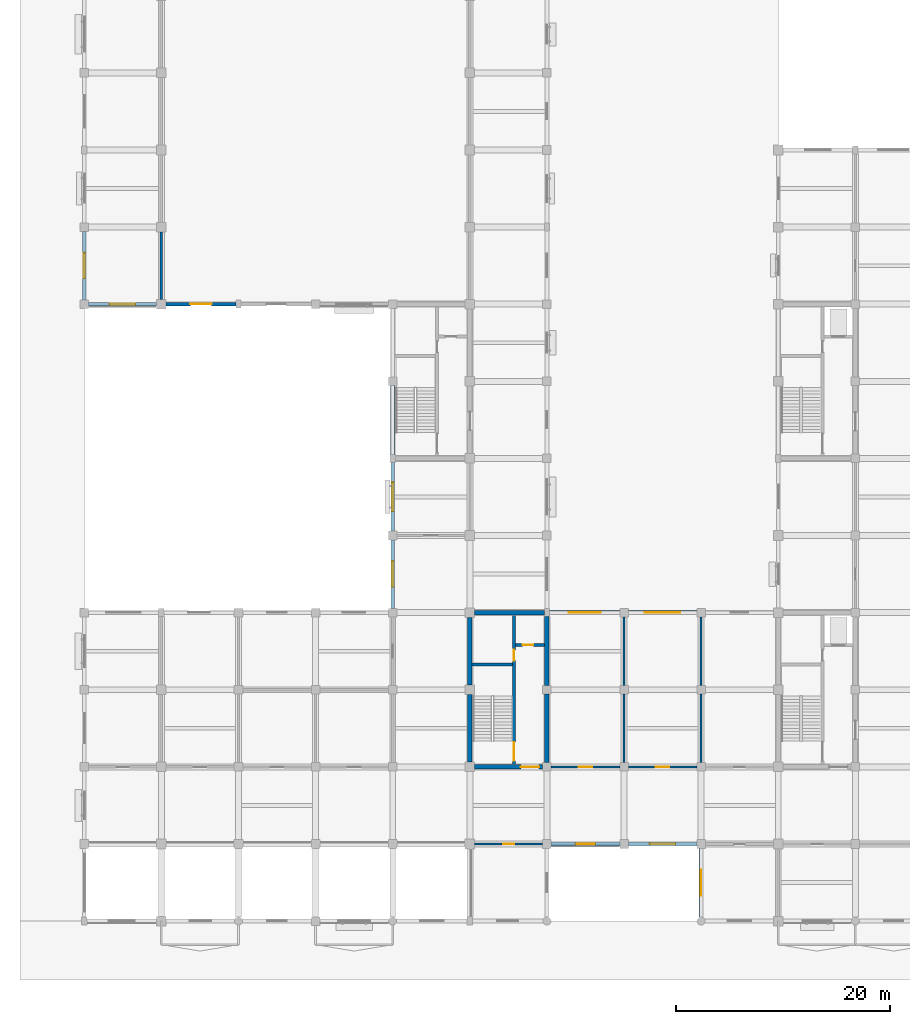
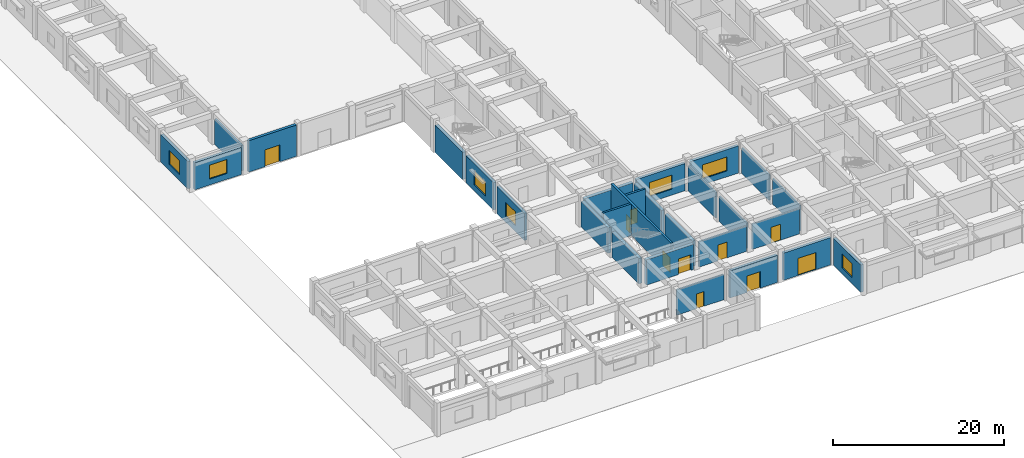
# One storey, part 9 of 37: 28 walls, 10 doors, 7 windows, 17 openings.
"""IFC4 building model written with IfcOpenShell, lengths in metres."""

from ifc_helpers import new_model, si_unit, direction, frame, frame_2d, origin, place, context, subcontext, project, spatial, rectangle, extrude, material, layer, layer_set, type_object, element, fill, save


model = new_model("IFC4")

# Units and contexts
model_context = context("Model", 3, precision=1e-05, world=origin(), true_north=direction((0.0, 1.0)))
body_context = subcontext(model_context, "Body", "Model", "MODEL_VIEW")
ifc_project = project(units=[si_unit("LENGTHUNIT", "METRE"), si_unit("AREAUNIT", "SQUARE_METRE"), si_unit("VOLUMEUNIT", "CUBIC_METRE"), si_unit("PLANEANGLEUNIT", "RADIAN"), si_unit("MASSUNIT", "GRAM", prefix="KILO")], contexts=[model_context])

# Site, building, storey
site_placement = place(None, origin())
site = spatial("IfcSite", under=ifc_project, at=site_placement, CompositionType="ELEMENT")
building_placement = place(site_placement, origin())
building = spatial("IfcBuilding", under=site, at=building_placement, Name="Cendaluz Park School", CompositionType="ELEMENT")
storey_placement = place(building_placement, origin())
storey = spatial("IfcBuildingStorey", under=building, at=storey_placement, Name="L00", CompositionType="ELEMENT", Elevation=0.0)

# Wall, opening, door
ifc_material_1 = material(Name="Gypsum Plasterboard on Cold-Formed Stud", Category="gypsum")
ifc_layer_1 = layer(ifc_material_1, 0.199951171875)
ifc_layer_set_1 = layer_set([ifc_layer_1], Name="Gypsum Plasterboard on Cold-Formed Stud")
wall_type_1 = type_object("IfcWallType", Name="W-AC20", PredefinedType="PARTITIONING", material=ifc_layer_set_1)
wall_1_placement = place(storey_placement, frame((43.60009765625, 14.39990234375, 0.0), z_axis=(0.0, 0.0, 1.0), x_axis=(1.0, 0.0, 0.0)))
wall_1 = element("IfcWall", 1, at=wall_1_placement, inside=storey, type_object=wall_type_1, Name="WL-FA-CG4", PredefinedType="PARTITIONING", context=body_context, shape_type="SweptSolid", body=[
    extrude(rectangle(XDim=6.39990234375, YDim=0.199951171875, at=frame_2d((3.199951171875, 0.0))), origin(), (0.0, 0.0, 1.0), 3.6201171875),
])
opening_1_placement = place(wall_1_placement, frame((2.580078125, 0.0, 0.0)))
opening_1 = element("IfcOpeningElement", 2, at=opening_1_placement, cuts=wall_1, Name="Opening DCL-09", PredefinedType="OPENING", context=body_context, shape_type="SweptSolid", body=[
    extrude(rectangle(XDim=1.239990234375, YDim=2.260009765625, at=frame_2d((0.6201171875, 1.1298828125))), frame((0.0, 0.112060546875, 0.0), z_axis=(0.0, -1.0, 0.0), x_axis=(1.0, 0.0, 0.0)), (0.0, 0.0, 1.0), 0.223876953125),
])
ifc_material_2 = material(Name="Solid Core Hardwood", Category="wood")
door_type_1 = type_object("IfcDoorType", Name="DCL-09", OperationType="NOTDEFINED", PredefinedType="DOOR", material=ifc_material_2)
door_1_placement = place(opening_1_placement, origin())
door_1 = element("IfcDoor", 3, at=door_1_placement, inside=storey, type_object=door_type_1, Name="D-L00-081", OperationType="SINGLE_SWING_LEFT", OverallHeight=2.260009765625, OverallWidth=1.239990234375, PredefinedType="DOOR", context=body_context, shape_type="SweptSolid", body=[
    extrude(rectangle(XDim=1.239990234375, YDim=2.260009765625, at=frame_2d((0.6201171875, 1.1298828125))), frame((0.0, 0.02490234375, 0.0), z_axis=(0.0, -1.0, 0.0), x_axis=(1.0, 0.0, 0.0)), (0.0, 0.0, 1.0), 0.050048828125),
])
fill(opening_1, door_1)

# Walls
for number, where, z_axis, x_axis, name in (
    (4, (50.39990234375, 14.800048828125, 0.0), (0.0, 0.0, 1.0), (0.0, 1.0, 0.0), "WL-FA-CG5"),
    (5, (50.39990234375, 22.0, 0.0), (0.0, 0.0, 1.0), (0.0, 1.0, 0.0), "WL-FA-CG6"),
):
    element("IfcWall", number, at=place(storey_placement, frame(where, z_axis=z_axis, x_axis=x_axis)), inside=storey, type_object=wall_type_1, Name=name, PredefinedType="PARTITIONING", context=body_context, shape_type="SweptSolid", body=[
        extrude(rectangle(XDim=6.39990234375, YDim=0.199951171875, at=frame_2d((3.199951171875, 0.0))), origin(), (0.0, 0.0, 1.0), 3.6201171875),
    ])

# Wall, opening, door
wall_2_placement = place(storey_placement, frame((50.800048828125, 14.39990234375, 0.0), z_axis=(0.0, 0.0, 1.0), x_axis=(1.0, 0.0, 0.0)))
wall_2 = element("IfcWall", 6, at=wall_2_placement, inside=storey, type_object=wall_type_1, Name="WL-FA-CG7", PredefinedType="PARTITIONING", context=body_context, shape_type="SweptSolid", body=[
    extrude(rectangle(XDim=6.39990234375, YDim=0.199951171875, at=frame_2d((3.199951171875, 0.0))), origin(), (0.0, 0.0, 1.0), 3.6201171875),
])
opening_2_placement = place(wall_2_placement, frame((2.56005859375, 0.0, 0.0)))
opening_2 = element("IfcOpeningElement", 7, at=opening_2_placement, cuts=wall_2, Name="Opening DCL-10", PredefinedType="OPENING", context=body_context, shape_type="SweptSolid", body=[
    extrude(rectangle(XDim=1.280029296875, YDim=2.280029296875, at=frame_2d((0.64013671875, 1.14013671875))), frame((0.0, 0.112060546875, 0.0), z_axis=(0.0, -1.0, 0.0), x_axis=(1.0, 0.0, 0.0)), (0.0, 0.0, 1.0), 0.223876953125),
])
door_type_2 = type_object("IfcDoorType", Name="DCL-10", OperationType="NOTDEFINED", PredefinedType="DOOR", material=ifc_material_2)
door_2_placement = place(opening_2_placement, origin())
door_2 = element("IfcDoor", 8, at=door_2_placement, inside=storey, type_object=door_type_2, Name="D-L00-082", OperationType="SINGLE_SWING_RIGHT", OverallHeight=2.280029296875, OverallWidth=1.280029296875, PredefinedType="DOOR", context=body_context, shape_type="SweptSolid", body=[
    extrude(rectangle(XDim=1.280029296875, YDim=2.280029296875, at=frame_2d((0.64013671875, 1.14013671875))), frame((0.0, 0.02490234375, 0.0), z_axis=(0.0, -1.0, 0.0), x_axis=(1.0, 0.0, 0.0)), (0.0, 0.0, 1.0), 0.050048828125),
])
fill(opening_2, door_2)

# Walls
for number, where, z_axis, x_axis, name in (
    (9, (57.60009765625, 14.800048828125, 0.0), (0.0, 0.0, 1.0), (0.0, 1.0, 0.0), "WL-FA-CG8"),
    (10, (57.60009765625, 22.0, 0.0), (0.0, 0.0, 1.0), (0.0, 1.0, 0.0), "WL-FA-CG9"),
):
    element("IfcWall", number, at=place(storey_placement, frame(where, z_axis=z_axis, x_axis=x_axis)), inside=storey, type_object=wall_type_1, Name=name, PredefinedType="PARTITIONING", context=body_context, shape_type="SweptSolid", body=[
        extrude(rectangle(XDim=6.39990234375, YDim=0.199951171875, at=frame_2d((3.199951171875, 0.0))), origin(), (0.0, 0.0, 1.0), 3.6201171875),
    ])

# Wall, opening, door
wall_3_placement = place(storey_placement, frame((36.449951171875, 7.199951171875, 0.0), z_axis=(0.0, 0.0, 1.0), x_axis=(1.0, 0.0, 0.0)))
wall_3 = element("IfcWall", 11, at=wall_3_placement, inside=storey, type_object=wall_type_1, Name="WL-FA-CJ3", PredefinedType="PARTITIONING", context=body_context, shape_type="SweptSolid", body=[
    extrude(rectangle(XDim=6.35009765625, YDim=0.199951171875, at=frame_2d((3.175048828125, 0.0))), origin(), (0.0, 0.0, 1.0), 3.6201171875),
])
opening_3_placement = place(wall_3_placement, frame((2.675048828125, 0.0, 0.0)))
opening_3 = element("IfcOpeningElement", 12, at=opening_3_placement, cuts=wall_3, Name="Opening DCL-01", PredefinedType="OPENING", context=body_context, shape_type="SweptSolid", body=[
    extrude(rectangle(XDim=1.0, YDim=2.10009765625, at=frame_2d((0.5, 1.050048828125))), frame((0.0, 0.112060546875, 0.0), z_axis=(0.0, -1.0, 0.0), x_axis=(1.0, 0.0, 0.0)), (0.0, 0.0, 1.0), 0.223876953125),
])
door_type_3 = type_object("IfcDoorType", Name="DCL-01", OperationType="NOTDEFINED", PredefinedType="DOOR", material=ifc_material_2)
door_3_placement = place(opening_3_placement, frame((1.0, 0.0, 0.0), z_axis=(0.0, 0.0, 1.0), x_axis=(-1.0, 0.0, 0.0)))
door_3 = element("IfcDoor", 13, at=door_3_placement, inside=storey, type_object=door_type_3, Name="D-L00-093", OperationType="SINGLE_SWING_LEFT", OverallHeight=2.10009765625, OverallWidth=1.0, PredefinedType="DOOR", context=body_context, shape_type="SweptSolid", body=[
    extrude(rectangle(XDim=1.0, YDim=2.10009765625, at=frame_2d((0.5, 1.050048828125))), frame((0.0, 0.02490234375, 0.0), z_axis=(0.0, -1.0, 0.0), x_axis=(1.0, 0.0, 0.0)), (0.0, 0.0, 1.0), 0.050048828125),
])
fill(opening_3, door_3)

# Wall
ifc_layer_2 = layer(ifc_material_1, 0.25)
ifc_layer_set_2 = layer_set([ifc_layer_2], Name="Gypsum Plasterboard on Cold-Formed Stud")
wall_type_2 = type_object("IfcWallType", Name="W-CP25", PredefinedType="PARTITIONING", material=ifc_layer_set_2)
wall_4_placement = place(storey_placement, frame((7.199951171875, 58.050048828125, 0.0), z_axis=(0.0, 0.0, 1.0), x_axis=(0.0, 1.0, 0.0)))
element("IfcWall", 14, at=wall_4_placement, inside=storey, type_object=wall_type_2, Name="WL-FA-BY0", PredefinedType="PARTITIONING", context=body_context, shape_type="SweptSolid", body=[
    extrude(rectangle(XDim=6.300048828125, YDim=0.25, at=frame_2d((3.14990234375, 0.0))), origin(), (0.0, 0.0, 1.0), 3.6201171875),
])

# Wall, opening, window
ifc_material_3 = material(Name="Concrete C40/50 precast", Category="concrete")
ifc_layer_3 = layer(ifc_material_3, 0.360107421875)
ifc_layer_set_3 = layer_set([ifc_layer_3], Name="Concrete C40/50 precast")
wall_type_3 = type_object("IfcWallType", Name="W-EX36", PredefinedType="SOLIDWALL", material=ifc_layer_set_3)
wall_5_placement = place(storey_placement, frame((0.39990234375, 57.60009765625, 0.0), z_axis=(0.0, 0.0, 1.0), x_axis=(1.0, 0.0, 0.0)))
wall_5 = element("IfcWall", 15, at=wall_5_placement, inside=storey, type_object=wall_type_3, Name="WL-FA-AA6", PredefinedType="SOLIDWALL", context=body_context, shape_type="SweptSolid", body=[
    extrude(rectangle(XDim=6.35009765625, YDim=0.360107421875, at=frame_2d((3.175048828125, 0.0))), origin(), (0.0, 0.0, 1.0), 3.889892578125),
])
opening_4_placement = place(wall_5_placement, frame((1.97509765625, 0.0, 0.85009765625)))
opening_4 = element("IfcOpeningElement", 16, at=opening_4_placement, cuts=wall_5, Name="Opening WN-12", PredefinedType="OPENING", context=body_context, shape_type="SweptSolid", body=[
    extrude(rectangle(XDim=2.39990234375, YDim=2.0, at=frame_2d((1.199951171875, 1.0))), frame((0.0, 0.192138671875, 0.0), z_axis=(0.0, -1.0, 0.0), x_axis=(1.0, 0.0, 0.0)), (0.0, 0.0, 1.0), 0.384033203125),
])
ifc_material_4 = material(Name="Tempered Low-E Double Glazing", Category="glass")
window_type_1 = type_object("IfcWindowType", Name="WN-12", PartitioningType="SINGLE_PANEL", PredefinedType="WINDOW", material=ifc_material_4)
window_1_placement = place(opening_4_placement, origin())
window_1 = element("IfcWindow", 17, at=window_1_placement, inside=storey, type_object=window_type_1, Name="WN-L00-006", OverallHeight=2.0, OverallWidth=2.39990234375, PartitioningType="SINGLE_PANEL", PredefinedType="WINDOW", context=body_context, shape_type="SweptSolid", body=[
    extrude(rectangle(XDim=2.39990234375, YDim=2.0, at=frame_2d((1.199951171875, 1.0))), frame((0.0, 0.030029296875, 0.0), z_axis=(0.0, -1.0, 0.0), x_axis=(1.0, 0.0, 0.0)), (0.0, 0.0, 1.0), 0.06005859375),
])
fill(opening_4, window_1)

wall_6_placement = place(storey_placement, frame((0.0, 58.0, 0.0), z_axis=(0.0, 0.0, 1.0), x_axis=(0.0, 1.0, 0.0)))
wall_6 = element("IfcWall", 18, at=wall_6_placement, inside=storey, type_object=wall_type_3, Name="WL-FA-AA7", PredefinedType="SOLIDWALL", context=body_context, shape_type="SweptSolid", body=[
    extrude(rectangle(XDim=6.39990234375, YDim=0.360107421875, at=frame_2d((3.199951171875, 0.0))), origin(), (0.0, 0.0, 1.0), 3.889892578125),
])
opening_5_placement = place(wall_6_placement, frame((2.0, 0.0, 0.85009765625)))
opening_5 = element("IfcOpeningElement", 19, at=opening_5_placement, cuts=wall_6, Name="Opening WN-12", PredefinedType="OPENING", context=body_context, shape_type="SweptSolid", body=[
    extrude(rectangle(XDim=2.39990234375, YDim=2.0, at=frame_2d((1.199951171875, 1.0))), frame((0.0, 0.192138671875, 0.0), z_axis=(0.0, -1.0, 0.0), x_axis=(1.0, 0.0, 0.0)), (0.0, 0.0, 1.0), 0.384033203125),
])
window_2_placement = place(opening_5_placement, origin())
window_2 = element("IfcWindow", 20, at=window_2_placement, inside=storey, type_object=window_type_1, Name="WN-L00-007", OverallHeight=2.0, OverallWidth=2.39990234375, PartitioningType="SINGLE_PANEL", PredefinedType="WINDOW", context=body_context, shape_type="SweptSolid", body=[
    extrude(rectangle(XDim=2.39990234375, YDim=2.0, at=frame_2d((1.199951171875, 1.0))), frame((0.0, 0.030029296875, 0.0), z_axis=(0.0, -1.0, 0.0), x_axis=(1.0, 0.0, 0.0)), (0.0, 0.0, 1.0), 0.06005859375),
])
fill(opening_5, window_2)

# Wall, opening, door
wall_7_placement = place(storey_placement, frame((7.64990234375, 57.60009765625, 0.0), z_axis=(0.0, 0.0, 1.0), x_axis=(1.0, 0.0, 0.0)))
wall_7 = element("IfcWall", 21, at=wall_7_placement, inside=storey, type_object=wall_type_3, Name="WL-FA-AB8", PredefinedType="SOLIDWALL", context=body_context, shape_type="SweptSolid", body=[
    extrude(rectangle(XDim=6.5, YDim=0.360107421875, at=frame_2d((3.25, 0.0))), origin(), (0.0, 0.0, 1.0), 4.469970703125),
])
opening_6_placement = place(wall_7_placement, frame((2.25, 0.0, 0.0)))
opening_6 = element("IfcOpeningElement", 22, at=opening_6_placement, cuts=wall_7, Name="Opening DEX-02", PredefinedType="OPENING", context=body_context, shape_type="SweptSolid", body=[
    extrude(rectangle(XDim=2.0, YDim=2.39990234375, at=frame_2d((1.0, 1.199951171875))), frame((0.0, 0.192138671875, 0.0), z_axis=(0.0, -1.0, 0.0), x_axis=(1.0, 0.0, 0.0)), (0.0, 0.0, 1.0), 0.384033203125),
])
ifc_material_5 = material(Name="Architectural Bronze")
door_type_4 = type_object("IfcDoorType", Name="DEX-02", OperationType="DOUBLE_DOOR_SINGLE_SWING", PredefinedType="DOOR", material=ifc_material_5)
door_4_placement = place(opening_6_placement, frame((2.0, 0.0, 0.0), z_axis=(0.0, 0.0, 1.0), x_axis=(-1.0, 0.0, 0.0)))
door_4 = element("IfcDoor", 23, at=door_4_placement, inside=storey, type_object=door_type_4, Name="D-L00-004", OperationType="DOUBLE_DOOR_SINGLE_SWING", OverallHeight=2.39990234375, OverallWidth=2.0, PredefinedType="DOOR", context=body_context, shape_type="SweptSolid", body=[
    extrude(rectangle(XDim=2.0, YDim=2.39990234375, at=frame_2d((1.0, 1.199951171875))), frame((0.0, 0.02490234375, 0.0), z_axis=(0.0, -1.0, 0.0), x_axis=(1.0, 0.0, 0.0)), (0.0, 0.0, 1.0), 0.050048828125),
])
fill(opening_6, door_4)

# Wall, opening, window
wall_8_placement = place(storey_placement, frame((28.800048828125, 29.199951171875, 0.0), z_axis=(0.0, 0.0, 1.0), x_axis=(0.0, 1.0, 0.0)))
wall_8 = element("IfcWall", 24, at=wall_8_placement, inside=storey, type_object=wall_type_3, Name="WL-FA-AC9", PredefinedType="SOLIDWALL", context=body_context, shape_type="SweptSolid", body=[
    extrude(rectangle(XDim=6.400146484375, YDim=0.360107421875, at=frame_2d((3.2001953125, 0.0))), origin(), (0.0, 0.0, 1.0), 3.889892578125),
])
opening_7_placement = place(wall_8_placement, frame((2.0, 0.0, 0.85009765625)))
opening_7 = element("IfcOpeningElement", 25, at=opening_7_placement, cuts=wall_8, Name="Opening WN-12", PredefinedType="OPENING", context=body_context, shape_type="SweptSolid", body=[
    extrude(rectangle(XDim=2.39990234375, YDim=2.0, at=frame_2d((1.199951171875, 1.0))), frame((0.0, 0.192138671875, 0.0), z_axis=(0.0, -1.0, 0.0), x_axis=(1.0, 0.0, 0.0)), (0.0, 0.0, 1.0), 0.384033203125),
])
window_3_placement = place(opening_7_placement, origin())
window_3 = element("IfcWindow", 26, at=window_3_placement, inside=storey, type_object=window_type_1, Name="WN-L00-022", OverallHeight=2.0, OverallWidth=2.39990234375, PartitioningType="SINGLE_PANEL", PredefinedType="WINDOW", context=body_context, shape_type="SweptSolid", body=[
    extrude(rectangle(XDim=2.39990234375, YDim=2.0, at=frame_2d((1.199951171875, 1.0))), frame((0.0, 0.030029296875, 0.0), z_axis=(0.0, -1.0, 0.0), x_axis=(1.0, 0.0, 0.0)), (0.0, 0.0, 1.0), 0.06005859375),
])
fill(opening_7, window_3)

wall_9_placement = place(storey_placement, frame((28.800048828125, 36.39990234375, 0.0), z_axis=(0.0, 0.0, 1.0), x_axis=(0.0, 1.0, 0.0)))
wall_9 = element("IfcWall", 27, at=wall_9_placement, inside=storey, type_object=wall_type_3, Name="WL-FA-AD0", PredefinedType="SOLIDWALL", context=body_context, shape_type="SweptSolid", body=[
    extrude(rectangle(XDim=6.425048828125, YDim=0.360107421875, at=frame_2d((3.21240234375, 0.0))), origin(), (0.0, 0.0, 1.0), 3.889892578125),
])
opening_8_placement = place(wall_9_placement, frame((1.862548828125, 0.0, 0.85009765625)))
opening_8 = element("IfcOpeningElement", 28, at=opening_8_placement, cuts=wall_9, Name="Opening WN-13", PredefinedType="OPENING", context=body_context, shape_type="SweptSolid", body=[
    extrude(rectangle(XDim=2.699951171875, YDim=2.0, at=frame_2d((1.35009765625, 1.0))), frame((0.0, 0.192138671875, 0.0), z_axis=(0.0, -1.0, 0.0), x_axis=(1.0, 0.0, 0.0)), (0.0, 0.0, 1.0), 0.384033203125),
])
window_type_2 = type_object("IfcWindowType", Name="WN-13", PartitioningType="SINGLE_PANEL", PredefinedType="WINDOW", material=ifc_material_4)
window_4_placement = place(opening_8_placement, origin())
window_4 = element("IfcWindow", 29, at=window_4_placement, inside=storey, type_object=window_type_2, Name="WN-L00-023", OverallHeight=2.0, OverallWidth=2.699951171875, PartitioningType="SINGLE_PANEL", PredefinedType="WINDOW", context=body_context, shape_type="SweptSolid", body=[
    extrude(rectangle(XDim=2.699951171875, YDim=2.0, at=frame_2d((1.35009765625, 1.0))), frame((0.0, 0.030029296875, 0.0), z_axis=(0.0, -1.0, 0.0), x_axis=(1.0, 0.0, 0.0)), (0.0, 0.0, 1.0), 0.06005859375),
])
fill(opening_8, window_4)

# Wall, opening, door
wall_10_placement = place(storey_placement, frame((43.60009765625, 7.199951171875, 0.0), z_axis=(0.0, 0.0, 1.0), x_axis=(1.0, 0.0, 0.0)))
wall_10 = element("IfcWall", 30, at=wall_10_placement, inside=storey, type_object=wall_type_3, Name="WL-FA-AE7", PredefinedType="SOLIDWALL", context=body_context, shape_type="SweptSolid", body=[
    extrude(rectangle(XDim=6.39990234375, YDim=0.360107421875, at=frame_2d((3.199951171875, 0.0))), origin(), (0.0, 0.0, 1.0), 3.889892578125),
])
opening_9_placement = place(wall_10_placement, frame((2.300048828125, 0.0, 0.0)))
opening_9 = element("IfcOpeningElement", 31, at=opening_9_placement, cuts=wall_10, Name="Opening DEX-03", PredefinedType="OPENING", context=body_context, shape_type="SweptSolid", body=[
    extrude(rectangle(XDim=1.800048828125, YDim=2.35009765625, at=frame_2d((0.89990234375, 1.175048828125))), frame((0.0, 0.192138671875, 0.0), z_axis=(0.0, -1.0, 0.0), x_axis=(1.0, 0.0, 0.0)), (0.0, 0.0, 1.0), 0.384033203125),
])
door_type_5 = type_object("IfcDoorType", Name="DEX-03", OperationType="DOUBLE_DOOR_SINGLE_SWING", PredefinedType="DOOR", material=ifc_material_5)
door_5_placement = place(opening_9_placement, frame((1.800048828125, 0.0, 0.0), z_axis=(0.0, 0.0, 1.0), x_axis=(-1.0, 0.0, 0.0)))
door_5 = element("IfcDoor", 32, at=door_5_placement, inside=storey, type_object=door_type_5, Name="D-L00-011", OperationType="DOUBLE_DOOR_SINGLE_SWING", OverallHeight=2.35009765625, OverallWidth=1.800048828125, PredefinedType="DOOR", context=body_context, shape_type="SweptSolid", body=[
    extrude(rectangle(XDim=1.800048828125, YDim=2.35009765625, at=frame_2d((0.89990234375, 1.175048828125))), frame((0.0, 0.02490234375, 0.0), z_axis=(0.0, -1.0, 0.0), x_axis=(1.0, 0.0, 0.0)), (0.0, 0.0, 1.0), 0.050048828125),
])
fill(opening_9, door_5)

# Wall, opening, window
wall_11_placement = place(storey_placement, frame((43.449951171875, 28.800048828125, 0.0), z_axis=(0.0, 0.0, 1.0), x_axis=(1.0, 0.0, 0.0)))
wall_11 = element("IfcWall", 33, at=wall_11_placement, inside=storey, type_object=wall_type_3, Name="WL-FA-AE8", PredefinedType="SOLIDWALL", context=body_context, shape_type="SweptSolid", body=[
    extrude(rectangle(XDim=6.550048828125, YDim=0.360107421875, at=frame_2d((3.27490234375, 0.0))), origin(), (0.0, 0.0, 1.0), 3.889892578125),
])
opening_10_placement = place(wall_11_placement, frame((1.77490234375, 0.0, 0.85009765625)))
opening_10 = element("IfcOpeningElement", 34, at=opening_10_placement, cuts=wall_11, Name="Opening WN-14", PredefinedType="OPENING", context=body_context, shape_type="SweptSolid", body=[
    extrude(rectangle(XDim=3.0, YDim=2.0, at=frame_2d((1.5, 1.0))), frame((0.0, 0.192138671875, 0.0), z_axis=(0.0, -1.0, 0.0), x_axis=(1.0, 0.0, 0.0)), (0.0, 0.0, 1.0), 0.384033203125),
])
window_type_3 = type_object("IfcWindowType", Name="WN-14", PartitioningType="SINGLE_PANEL", PredefinedType="WINDOW", material=ifc_material_4)
window_5_placement = place(opening_10_placement, origin())
window_5 = element("IfcWindow", 35, at=window_5_placement, inside=storey, type_object=window_type_3, Name="WN-L00-038", OverallHeight=2.0, OverallWidth=3.0, PartitioningType="SINGLE_PANEL", PredefinedType="WINDOW", context=body_context, shape_type="SweptSolid", body=[
    extrude(rectangle(XDim=3.0, YDim=2.0, at=frame_2d((1.5, 1.0))), frame((0.0, 0.030029296875, 0.0), z_axis=(0.0, -1.0, 0.0), x_axis=(1.0, 0.0, 0.0)), (0.0, 0.0, 1.0), 0.06005859375),
])
fill(opening_10, window_5)

# Wall, opening, door
wall_12_placement = place(storey_placement, frame((50.800048828125, 7.199951171875, 0.0), z_axis=(0.0, 0.0, 1.0), x_axis=(1.0, 0.0, 0.0)))
wall_12 = element("IfcWall", 36, at=wall_12_placement, inside=storey, type_object=wall_type_3, Name="WL-FA-AE9", PredefinedType="SOLIDWALL", context=body_context, shape_type="SweptSolid", body=[
    extrude(rectangle(XDim=6.39990234375, YDim=0.360107421875, at=frame_2d((3.199951171875, 0.0))), origin(), (0.0, 0.0, 1.0), 3.889892578125),
])
opening_11_placement = place(wall_12_placement, frame((2.0, 0.0, 0.0)))
opening_11 = element("IfcOpeningElement", 37, at=opening_11_placement, cuts=wall_12, Name="Opening DEX-04", PredefinedType="OPENING", context=body_context, shape_type="SweptSolid", body=[
    extrude(rectangle(XDim=2.39990234375, YDim=2.449951171875, at=frame_2d((1.199951171875, 1.22509765625))), frame((0.0, 0.192138671875, 0.0), z_axis=(0.0, -1.0, 0.0), x_axis=(1.0, 0.0, 0.0)), (0.0, 0.0, 1.0), 0.384033203125),
])
door_type_6 = type_object("IfcDoorType", Name="DEX-04", OperationType="DOUBLE_DOOR_SINGLE_SWING", PredefinedType="DOOR", material=ifc_material_5)
door_6_placement = place(opening_11_placement, frame((2.39990234375, 0.0, 0.0), z_axis=(0.0, 0.0, 1.0), x_axis=(-1.0, 0.0, 0.0)))
door_6 = element("IfcDoor", 38, at=door_6_placement, inside=storey, type_object=door_type_6, Name="D-L00-012", OperationType="DOUBLE_DOOR_SINGLE_SWING", OverallHeight=2.449951171875, OverallWidth=2.39990234375, PredefinedType="DOOR", context=body_context, shape_type="SweptSolid", body=[
    extrude(rectangle(XDim=2.39990234375, YDim=2.449951171875, at=frame_2d((1.199951171875, 1.22509765625))), frame((0.0, 0.02490234375, 0.0), z_axis=(0.0, -1.0, 0.0), x_axis=(1.0, 0.0, 0.0)), (0.0, 0.0, 1.0), 0.050048828125),
])
fill(opening_11, door_6)

# Wall, opening, window
wall_13_placement = place(storey_placement, frame((50.800048828125, 28.800048828125, 0.0), z_axis=(0.0, 0.0, 1.0), x_axis=(1.0, 0.0, 0.0)))
wall_13 = element("IfcWall", 39, at=wall_13_placement, inside=storey, type_object=wall_type_3, Name="WL-FA-AF0", PredefinedType="SOLIDWALL", context=body_context, shape_type="SweptSolid", body=[
    extrude(rectangle(XDim=6.39990234375, YDim=0.360107421875, at=frame_2d((3.199951171875, 0.0))), origin(), (0.0, 0.0, 1.0), 3.889892578125),
])
opening_12_placement = place(wall_13_placement, frame((1.550048828125, 0.0, 0.85009765625)))
opening_12 = element("IfcOpeningElement", 40, at=opening_12_placement, cuts=wall_13, Name="Opening WN-15", PredefinedType="OPENING", context=body_context, shape_type="SweptSolid", body=[
    extrude(rectangle(XDim=3.300048828125, YDim=2.0, at=frame_2d((1.64990234375, 1.0))), frame((0.0, 0.192138671875, 0.0), z_axis=(0.0, -1.0, 0.0), x_axis=(1.0, 0.0, 0.0)), (0.0, 0.0, 1.0), 0.384033203125),
])
window_type_4 = type_object("IfcWindowType", Name="WN-15", PartitioningType="SINGLE_PANEL", PredefinedType="WINDOW", material=ifc_material_4)
window_6_placement = place(opening_12_placement, origin())
window_6 = element("IfcWindow", 41, at=window_6_placement, inside=storey, type_object=window_type_4, Name="WN-L00-039", OverallHeight=2.0, OverallWidth=3.300048828125, PartitioningType="SINGLE_PANEL", PredefinedType="WINDOW", context=body_context, shape_type="SweptSolid", body=[
    extrude(rectangle(XDim=3.300048828125, YDim=2.0, at=frame_2d((1.64990234375, 1.0))), frame((0.0, 0.030029296875, 0.0), z_axis=(0.0, -1.0, 0.0), x_axis=(1.0, 0.0, 0.0)), (0.0, 0.0, 1.0), 0.06005859375),
])
fill(opening_12, window_6)

wall_14_placement = place(storey_placement, frame((57.60009765625, 0.375, 0.0), z_axis=(0.0, 0.0, 1.0), x_axis=(0.0, 1.0, 0.0)))
wall_14 = element("IfcWall", 42, at=wall_14_placement, inside=storey, type_object=wall_type_3, Name="WL-FA-AF2", PredefinedType="SOLIDWALL", context=body_context, shape_type="SweptSolid", body=[
    extrude(rectangle(XDim=6.425048828125, YDim=0.360107421875, at=frame_2d((3.21240234375, 0.0))), origin(), (0.0, 0.0, 1.0), 3.889892578125),
])
opening_13_placement = place(wall_14_placement, frame((2.012451171875, 0.0, 0.85009765625)))
opening_13 = element("IfcOpeningElement", 43, at=opening_13_placement, cuts=wall_14, Name="Opening WN-12", PredefinedType="OPENING", context=body_context, shape_type="SweptSolid", body=[
    extrude(rectangle(XDim=2.39990234375, YDim=2.0, at=frame_2d((1.199951171875, 1.0))), frame((0.0, 0.192138671875, 0.0), z_axis=(0.0, -1.0, 0.0), x_axis=(1.0, 0.0, 0.0)), (0.0, 0.0, 1.0), 0.384033203125),
])
window_7_placement = place(opening_13_placement, origin())
window_7 = element("IfcWindow", 44, at=window_7_placement, inside=storey, type_object=window_type_1, Name="WN-L00-040", OverallHeight=2.0, OverallWidth=2.39990234375, PartitioningType="SINGLE_PANEL", PredefinedType="WINDOW", context=body_context, shape_type="SweptSolid", body=[
    extrude(rectangle(XDim=2.39990234375, YDim=2.0, at=frame_2d((1.199951171875, 1.0))), frame((0.0, 0.030029296875, 0.0), z_axis=(0.0, -1.0, 0.0), x_axis=(1.0, 0.0, 0.0)), (0.0, 0.0, 1.0), 0.06005859375),
])
fill(opening_13, window_7)

# Wall, openings, doors
ifc_material_6 = material(Name="Concrete C40/50", Category="concrete")
ifc_layer_4 = layer(ifc_material_6, 0.280029296875)
ifc_layer_set_4 = layer_set([ifc_layer_4], Name="Concrete C40/50")
wall_type_4 = type_object("IfcWallType", Name="W-FW28", PredefinedType="SHEAR", material=ifc_layer_set_4)
wall_15_placement = place(storey_placement, frame((40.1201171875, 14.60009765625, 0.0), z_axis=(0.0, 0.0, 1.0), x_axis=(0.0, 1.0, 0.0)))
wall_15 = element("IfcWall", 45, at=wall_15_placement, inside=storey, type_object=wall_type_4, Name="WL-FA-BV0", PredefinedType="SHEAR", context=body_context, shape_type="SweptSolid", body=[
    extrude(rectangle(XDim=14.0, YDim=0.280029296875, at=frame_2d((7.0, 0.0))), origin(), (0.0, 0.0, 1.0), 4.52001953125),
])
opening_14_placement = place(wall_15_placement, frame((0.35009765625, 0.0, 0.0)))
opening_14 = element("IfcOpeningElement", 46, at=opening_14_placement, cuts=wall_15, Name="Opening DST-03", PredefinedType="OPENING", context=body_context, shape_type="SweptSolid", body=[
    extrude(rectangle(XDim=1.75, YDim=2.14990234375, at=frame_2d((0.875, 1.074951171875))), frame((0.0, 0.152099609375, 0.0), z_axis=(0.0, -1.0, 0.0), x_axis=(1.0, 0.0, 0.0)), (0.0, 0.0, 1.0), 0.303955078125),
])
opening_15_placement = place(wall_15_placement, frame((9.719970703125, 0.0, 0.0)))
opening_15 = element("IfcOpeningElement", 47, at=opening_15_placement, cuts=wall_15, Name="Opening DFC-01", PredefinedType="OPENING", context=body_context, shape_type="SweptSolid", body=[
    extrude(rectangle(XDim=1.0, YDim=2.14990234375, at=frame_2d((0.5, 1.074951171875))), frame((0.0, 0.152099609375, 0.0), z_axis=(0.0, -1.0, 0.0), x_axis=(1.0, 0.0, 0.0)), (0.0, 0.0, 1.0), 0.303955078125),
])
door_type_7 = type_object("IfcDoorType", Name="DFC-01", OperationType="NOTDEFINED", PredefinedType="DOOR", material=ifc_material_2)
door_7_placement = place(opening_15_placement, origin())
door_7 = element("IfcDoor", 48, at=door_7_placement, inside=storey, type_object=door_type_7, Name="D-L00-050", OperationType="SINGLE_SWING_LEFT", OverallHeight=2.14990234375, OverallWidth=1.0, PredefinedType="DOOR", context=body_context, shape_type="SweptSolid", body=[
    extrude(rectangle(XDim=1.0, YDim=2.14990234375, at=frame_2d((0.5, 1.074951171875))), frame((0.0, 0.02490234375, 0.0), z_axis=(0.0, -1.0, 0.0), x_axis=(1.0, 0.0, 0.0)), (0.0, 0.0, 1.0), 0.050048828125),
])
fill(opening_15, door_7)
door_type_8 = type_object("IfcDoorType", Name="DST-03", OperationType="DOUBLE_DOOR_SINGLE_SWING", PredefinedType="DOOR", material=ifc_material_2)
door_8_placement = place(opening_14_placement, frame((1.75, 0.0, 0.0), z_axis=(0.0, 0.0, 1.0), x_axis=(-1.0, 0.0, 0.0)))
door_8 = element("IfcDoor", 49, at=door_8_placement, inside=storey, type_object=door_type_8, Name="D-L00-049", OperationType="DOUBLE_DOOR_SINGLE_SWING", OverallHeight=2.14990234375, OverallWidth=1.75, PredefinedType="DOOR", context=body_context, shape_type="SweptSolid", body=[
    extrude(rectangle(XDim=1.75, YDim=2.14990234375, at=frame_2d((0.875, 1.074951171875))), frame((0.0, 0.02490234375, 0.0), z_axis=(0.0, -1.0, 0.0), x_axis=(1.0, 0.0, 0.0)), (0.0, 0.0, 1.0), 0.050048828125),
])
fill(opening_14, door_8)

# Wall
wall_16_placement = place(storey_placement, frame((36.199951171875, 23.97998046875, 0.0), z_axis=(0.0, 0.0, 1.0), x_axis=(1.0, 0.0, 0.0)))
element("IfcWall", 50, at=wall_16_placement, inside=storey, type_object=wall_type_4, Name="WL-FA-BV1", PredefinedType="SHEAR", context=body_context, shape_type="SweptSolid", body=[
    extrude(rectangle(XDim=3.780029296875, YDim=0.280029296875, at=frame_2d((1.89013671875, 0.0))), origin(), (0.0, 0.0, 1.0), 4.52001953125),
])

# Wall, opening, door
wall_17_placement = place(storey_placement, frame((40.280029296875, 25.800048828125, 0.0), z_axis=(0.0, 0.0, 1.0), x_axis=(1.0, 0.0, 0.0)))
wall_17 = element("IfcWall", 51, at=wall_17_placement, inside=storey, type_object=wall_type_4, Name="WL-FA-BV2", PredefinedType="SHEAR", context=body_context, shape_type="SweptSolid", body=[
    extrude(rectangle(XDim=2.679931640625, YDim=0.280029296875, at=frame_2d((1.33984375, 0.0))), origin(), (0.0, 0.0, 1.0), 4.52001953125),
])
opening_16_placement = place(wall_17_placement, frame((0.64990234375, 0.0, 0.0)))
opening_16 = element("IfcOpeningElement", 52, at=opening_16_placement, cuts=wall_17, Name="Opening DFC-01", PredefinedType="OPENING", context=body_context, shape_type="SweptSolid", body=[
    extrude(rectangle(XDim=1.0, YDim=2.14990234375, at=frame_2d((0.5, 1.074951171875))), frame((0.0, 0.152099609375, 0.0), z_axis=(0.0, -1.0, 0.0), x_axis=(1.0, 0.0, 0.0)), (0.0, 0.0, 1.0), 0.303955078125),
])
door_9_placement = place(opening_16_placement, frame((1.0, 0.0, 0.0), z_axis=(0.0, 0.0, 1.0), x_axis=(-1.0, 0.0, 0.0)))
door_9 = element("IfcDoor", 53, at=door_9_placement, inside=storey, type_object=door_type_7, Name="D-L00-051", OperationType="SINGLE_SWING_RIGHT", OverallHeight=2.14990234375, OverallWidth=1.0, PredefinedType="DOOR", context=body_context, shape_type="SweptSolid", body=[
    extrude(rectangle(XDim=1.0, YDim=2.14990234375, at=frame_2d((0.5, 1.074951171875))), frame((0.0, 0.02490234375, 0.0), z_axis=(0.0, -1.0, 0.0), x_axis=(1.0, 0.0, 0.0)), (0.0, 0.0, 1.0), 0.050048828125),
])
fill(opening_16, door_9)

# Walls
ifc_layer_5 = layer(ifc_material_6, 0.419921875)
ifc_layer_set_5 = layer_set([ifc_layer_5], Name="Concrete C40/50")
wall_type_5 = type_object("IfcWallType", Name="W-SH42", PredefinedType="SHEAR", material=ifc_layer_set_5)
wall_18_placement = place(storey_placement, frame((36.0, 14.85009765625, 0.0), z_axis=(0.0, 0.0, 1.0), x_axis=(0.0, 1.0, 0.0)))
element("IfcWall", 54, at=wall_18_placement, inside=storey, type_object=wall_type_5, Name="WL-FA-BU4", PredefinedType="SHEAR", context=body_context, shape_type="SweptSolid", body=[
    extrude(rectangle(XDim=6.2998046875, YDim=0.419921875, at=frame_2d((3.14990234375, 0.0))), origin(), (0.0, 0.0, 1.0), 3.6201171875),
])
wall_19_placement = place(storey_placement, frame((36.0, 22.050048828125, 0.0), z_axis=(0.0, 0.0, 1.0), x_axis=(0.0, 1.0, 0.0)))
element("IfcWall", 55, at=wall_19_placement, inside=storey, type_object=wall_type_5, Name="WL-FA-BU5", PredefinedType="SHEAR", context=body_context, shape_type="SweptSolid", body=[
    extrude(rectangle(XDim=6.300048828125, YDim=0.419921875, at=frame_2d((3.14990234375, 0.0))), origin(), (0.0, 0.0, 1.0), 3.6201171875),
])
wall_20_placement = place(storey_placement, frame((43.199951171875, 14.800048828125, 0.0), z_axis=(0.0, 0.0, 1.0), x_axis=(0.0, 1.0, 0.0)))
element("IfcWall", 56, at=wall_20_placement, inside=storey, type_object=wall_type_5, Name="WL-FA-BU6", PredefinedType="SHEAR", context=body_context, shape_type="SweptSolid", body=[
    extrude(rectangle(XDim=6.39990234375, YDim=0.419921875, at=frame_2d((3.199951171875, 0.0))), origin(), (0.0, 0.0, 1.0), 3.6201171875),
])
wall_21_placement = place(storey_placement, frame((43.199951171875, 22.0, 0.0), z_axis=(0.0, 0.0, 1.0), x_axis=(0.0, 1.0, 0.0)))
element("IfcWall", 57, at=wall_21_placement, inside=storey, type_object=wall_type_5, Name="WL-FA-BU7", PredefinedType="SHEAR", context=body_context, shape_type="SweptSolid", body=[
    extrude(rectangle(XDim=6.425048828125, YDim=0.419921875, at=frame_2d((3.21240234375, 0.0))), origin(), (0.0, 0.0, 1.0), 3.6201171875),
])

# Wall, opening, door
wall_22_placement = place(storey_placement, frame((36.449951171875, 14.39990234375, 0.0), z_axis=(0.0, 0.0, 1.0), x_axis=(1.0, 0.0, 0.0)))
wall_22 = element("IfcWall", 58, at=wall_22_placement, inside=storey, type_object=wall_type_5, Name="WL-FA-BU8", PredefinedType="SHEAR", context=body_context, shape_type="SweptSolid", body=[
    extrude(rectangle(XDim=6.35009765625, YDim=0.419921875, at=frame_2d((3.175048828125, 0.0))), origin(), (0.0, 0.0, 1.0), 3.6201171875),
])
opening_17_placement = place(wall_22_placement, frame((4.320068359375, 0.0, 0.0)))
opening_17 = element("IfcOpeningElement", 59, at=opening_17_placement, cuts=wall_22, Name="Opening DLB-02", PredefinedType="OPENING", context=body_context, shape_type="SweptSolid", body=[
    extrude(rectangle(XDim=1.699951171875, YDim=2.25, at=frame_2d((0.85009765625, 1.125))), frame((0.0, 0.221923828125, 0.0), z_axis=(0.0, -1.0, 0.0), x_axis=(1.0, 0.0, 0.0)), (0.0, 0.0, 1.0), 0.44384765625),
])
door_type_9 = type_object("IfcDoorType", Name="DLB-02", OperationType="DOUBLE_DOOR_SINGLE_SWING", PredefinedType="DOOR", material=ifc_material_2)
door_10_placement = place(opening_17_placement, frame((1.699951171875, 0.0, 0.0), z_axis=(0.0, 0.0, 1.0), x_axis=(-1.0, 0.0, 0.0)))
door_10 = element("IfcDoor", 60, at=door_10_placement, inside=storey, type_object=door_type_9, Name="D-L00-048", OperationType="DOUBLE_DOOR_SINGLE_SWING", OverallHeight=2.25, OverallWidth=1.699951171875, PredefinedType="DOOR", context=body_context, shape_type="SweptSolid", body=[
    extrude(rectangle(XDim=1.699951171875, YDim=2.25, at=frame_2d((0.85009765625, 1.125))), frame((0.0, 0.02490234375, 0.0), z_axis=(0.0, -1.0, 0.0), x_axis=(1.0, 0.0, 0.0)), (0.0, 0.0, 1.0), 0.050048828125),
])
fill(opening_17, door_10)

# Walls
wall_23_placement = place(storey_placement, frame((36.449951171875, 28.800048828125, 0.0), z_axis=(0.0, 0.0, 1.0), x_axis=(1.0, 0.0, 0.0)))
element("IfcWall", 61, at=wall_23_placement, inside=storey, type_object=wall_type_5, Name="WL-FA-BU9", PredefinedType="SHEAR", context=body_context, shape_type="SweptSolid", body=[
    extrude(rectangle(XDim=6.5, YDim=0.419921875, at=frame_2d((3.25, 0.0))), origin(), (0.0, 0.0, 1.0), 3.6201171875),
])
wall_24_placement = place(storey_placement, frame((28.800048828125, 43.574951171875, 0.0), z_axis=(0.0, 0.0, 1.0), x_axis=(0.0, 1.0, 0.0)))
element("IfcWall", 62, at=wall_24_placement, inside=storey, type_object=wall_type_5, Name="WL-FA-BW2", PredefinedType="SHEAR", context=body_context, shape_type="SweptSolid", body=[
    extrude(rectangle(XDim=6.425048828125, YDim=0.419921875, at=frame_2d((3.21240234375, 0.0))), origin(), (0.0, 0.0, 1.0), 3.889892578125),
])

save(model, "model.ifc")
